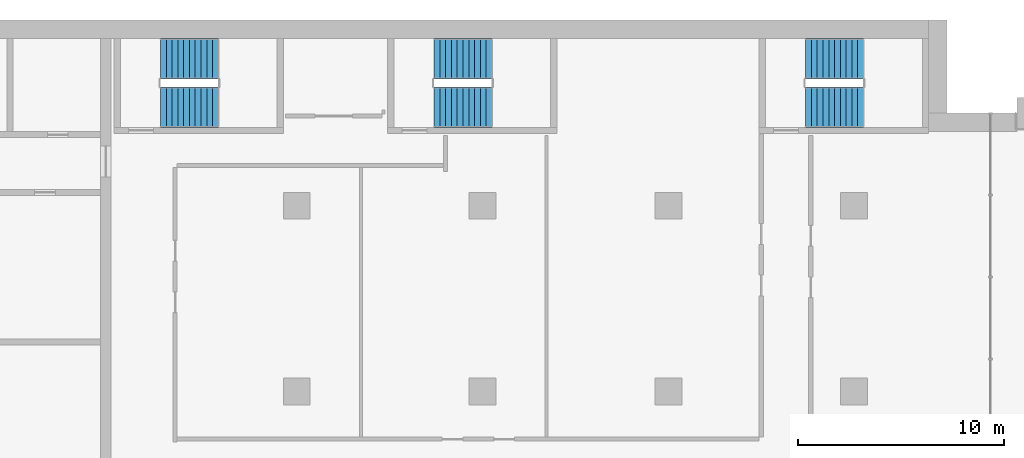
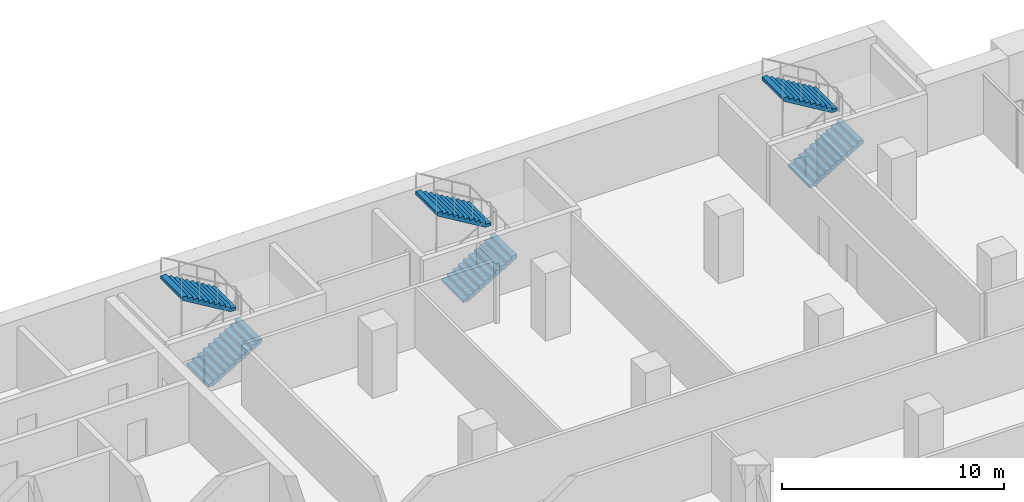
# One storey, part 18 of 23: 6 stair flights, 3 elements without a shape of their own.
"""IFC4 building model written with IfcOpenShell, lengths in metres."""

from ifc_helpers import new_model, si_unit, direction, frame, origin, place, context, subcontext, project, spatial, polyline, outline, extrude, material, type_object, element, aggregate, save


model = new_model("IFC4")

# Units and contexts
model_context = context("Model", 3, precision=1e-05, world=origin(), true_north=direction((0.0, 1.0)))
body_context = subcontext(model_context, "Body", "Model", "MODEL_VIEW")
ifc_project = project(units=[si_unit("LENGTHUNIT", "METRE"), si_unit("AREAUNIT", "SQUARE_METRE"), si_unit("VOLUMEUNIT", "CUBIC_METRE"), si_unit("PLANEANGLEUNIT", "RADIAN"), si_unit("MASSUNIT", "GRAM", prefix="KILO")], contexts=[model_context])

# Site, building, storey
site_placement = place(None, origin())
site = spatial("IfcSite", under=ifc_project, at=site_placement, CompositionType="ELEMENT")
building_placement = place(site_placement, origin())
building = spatial("IfcBuilding", under=site, at=building_placement, Name="Hunhe Ridgeline Campus", CompositionType="ELEMENT")
storey_placement = place(building_placement, frame((0.0, 0.0, 103.300048828125)))
storey = spatial("IfcBuildingStorey", under=building, at=storey_placement, Name="L25", CompositionType="ELEMENT", Elevation=103.300048828125)

# Stair, stair flights
ifc_material = material(Name="Concrete C40", Category="concrete")
stair_type = type_object("IfcStairType", Name="Reinforced concrete dog-leg stair 1950 Concrete C40", PredefinedType="HALF_TURN_STAIR", material=ifc_material)
stair_1_placement = place(storey_placement, origin())
stair_1 = element("IfcStair", 1, at=stair_1_placement, inside=storey, type_object=stair_type, Name="L25 E1", PredefinedType="HALF_TURN_STAIR")
stair_flight_type = type_object("IfcStairFlightType", Name="Reinforced concrete stair flight 1950 Concrete C40", PredefinedType="STRAIGHT", material=ifc_material)
stair_flight_1_placement = place(storey_placement, frame((38.39990234375, 94.77490234375, 0.0), z_axis=(0.0, 0.0, 1.0), x_axis=(1.0, 0.0, 0.0)))
stair_flight_1 = element("IfcStairFlight", 2, at=stair_flight_1_placement, type_object=stair_flight_type, Name="ST5 flight 1", NumberOfRisers=11, NumberOfTreads=10, PredefinedType="STRAIGHT", RiserHeight=0.168181818, TreadLength=0.28, context=body_context, shape_type="SweptSolid", body=[
    extrude(outline(polyline([(0.0, 0.0), (0.0, 0.168212890625), (0.280029296875, 0.168212890625), (0.280029296875, 0.33642578125), (0.56005859375, 0.33642578125), (0.56005859375, 0.504638671875), (0.840087890625, 0.504638671875), (0.840087890625, 0.672607421875), (1.1201171875, 0.672607421875), (1.1201171875, 0.8408203125), (1.39990234375, 0.8408203125), (1.39990234375, 1.009033203125), (1.679931640625, 1.009033203125), (1.679931640625, 1.17724609375), (1.9599609375, 1.17724609375), (1.9599609375, 1.345458984375), (2.239990234375, 1.345458984375), (2.239990234375, 1.513671875), (2.52001953125, 1.513671875), (2.52001953125, 1.681884765625), (2.800048828125, 1.681884765625), (2.800048828125, 1.85009765625), (2.800048828125, 1.5068359375), (0.291015625, 0.0), (0.0, 0.0)])), frame((0.0, 0.97509765625, 0.0), z_axis=(0.0, -1.0, 0.0), x_axis=(1.0, 0.0, 0.0)), (0.0, 0.0, 1.0), 1.949951171875),
    extrude(outline(polyline([(0.030029296875, 0.030029296875), (0.030029296875, 0.13818359375), (0.31005859375, 0.13818359375), (0.31005859375, 0.306396484375), (0.590087890625, 0.306396484375), (0.590087890625, 0.474609375), (0.8701171875, 0.474609375), (0.8701171875, 0.642578125), (1.14990234375, 0.642578125), (1.14990234375, 0.810791015625), (1.429931640625, 0.810791015625), (1.429931640625, 0.97900390625), (1.7099609375, 0.97900390625), (1.7099609375, 1.147216796875), (1.989990234375, 1.147216796875), (1.989990234375, 1.3154296875), (2.27001953125, 1.3154296875), (2.27001953125, 1.483642578125), (2.550048828125, 1.483642578125), (2.550048828125, 1.65185546875), (2.77001953125, 1.65185546875), (2.77001953125, 1.52392578125), (0.28271484375, 0.030029296875), (0.030029296875, 0.030029296875)])), frame((0.0, -0.070068359375, 0.0), z_axis=(0.0, -1.0, 0.0), x_axis=(1.0, 0.0, 0.0)), (0.0, 0.0, 1.0), 0.019775390625),
    extrude(outline(polyline([(0.030029296875, 0.030029296875), (0.030029296875, 0.13818359375), (0.31005859375, 0.13818359375), (0.31005859375, 0.306396484375), (0.590087890625, 0.306396484375), (0.590087890625, 0.474609375), (0.8701171875, 0.474609375), (0.8701171875, 0.642578125), (1.14990234375, 0.642578125), (1.14990234375, 0.810791015625), (1.429931640625, 0.810791015625), (1.429931640625, 0.97900390625), (1.7099609375, 0.97900390625), (1.7099609375, 1.147216796875), (1.989990234375, 1.147216796875), (1.989990234375, 1.3154296875), (2.27001953125, 1.3154296875), (2.27001953125, 1.483642578125), (2.550048828125, 1.483642578125), (2.550048828125, 1.65185546875), (2.77001953125, 1.65185546875), (2.77001953125, 1.52392578125), (0.28271484375, 0.030029296875), (0.030029296875, 0.030029296875)])), frame((0.0, 0.010009765625, 0.0), z_axis=(0.0, -1.0, 0.0), x_axis=(1.0, 0.0, 0.0)), (0.0, 0.0, 1.0), 0.019775390625),
    extrude(outline(polyline([(0.030029296875, 0.030029296875), (0.030029296875, 0.13818359375), (0.31005859375, 0.13818359375), (0.31005859375, 0.306396484375), (0.590087890625, 0.306396484375), (0.590087890625, 0.474609375), (0.8701171875, 0.474609375), (0.8701171875, 0.642578125), (1.14990234375, 0.642578125), (1.14990234375, 0.810791015625), (1.429931640625, 0.810791015625), (1.429931640625, 0.97900390625), (1.7099609375, 0.97900390625), (1.7099609375, 1.147216796875), (1.989990234375, 1.147216796875), (1.989990234375, 1.3154296875), (2.27001953125, 1.3154296875), (2.27001953125, 1.483642578125), (2.550048828125, 1.483642578125), (2.550048828125, 1.65185546875), (2.77001953125, 1.65185546875), (2.77001953125, 1.52392578125), (0.28271484375, 0.030029296875), (0.030029296875, 0.030029296875)])), frame((0.0, 0.090087890625, 0.0), z_axis=(0.0, -1.0, 0.0), x_axis=(1.0, 0.0, 0.0)), (0.0, 0.0, 1.0), 0.019775390625),
])
stair_flight_2_placement = place(storey_placement, frame((41.199951171875, 97.125, 1.849853515625), z_axis=(0.0, 0.0, 1.0), x_axis=(-1.0, 0.0, 0.0)))
stair_flight_2 = element("IfcStairFlight", 3, at=stair_flight_2_placement, type_object=stair_flight_type, Name="ST5 flight 2", NumberOfRisers=11, NumberOfTreads=10, PredefinedType="STRAIGHT", RiserHeight=0.168181818, TreadLength=0.28, context=body_context, shape_type="SweptSolid", body=[
    extrude(outline(polyline([(0.0, 0.0), (0.0, 0.168212890625), (0.280029296875, 0.168212890625), (0.280029296875, 0.33642578125), (0.56005859375, 0.33642578125), (0.56005859375, 0.504638671875), (0.840087890625, 0.504638671875), (0.840087890625, 0.672607421875), (1.1201171875, 0.672607421875), (1.1201171875, 0.8408203125), (1.39990234375, 0.8408203125), (1.39990234375, 1.009033203125), (1.679931640625, 1.009033203125), (1.679931640625, 1.17724609375), (1.9599609375, 1.17724609375), (1.9599609375, 1.345458984375), (2.239990234375, 1.345458984375), (2.239990234375, 1.513671875), (2.52001953125, 1.513671875), (2.52001953125, 1.681884765625), (2.800048828125, 1.681884765625), (2.800048828125, 1.85009765625), (2.800048828125, 1.5068359375), (0.291015625, 0.0), (0.0, 0.0)])), frame((0.0, 0.97509765625, 0.0), z_axis=(0.0, -1.0, 0.0), x_axis=(1.0, 0.0, 0.0)), (0.0, 0.0, 1.0), 1.949951171875),
    extrude(outline(polyline([(0.030029296875, 0.030029296875), (0.030029296875, 0.13818359375), (0.31005859375, 0.13818359375), (0.31005859375, 0.306396484375), (0.590087890625, 0.306396484375), (0.590087890625, 0.474609375), (0.8701171875, 0.474609375), (0.8701171875, 0.642578125), (1.14990234375, 0.642578125), (1.14990234375, 0.810791015625), (1.429931640625, 0.810791015625), (1.429931640625, 0.97900390625), (1.7099609375, 0.97900390625), (1.7099609375, 1.147216796875), (1.989990234375, 1.147216796875), (1.989990234375, 1.3154296875), (2.27001953125, 1.3154296875), (2.27001953125, 1.483642578125), (2.550048828125, 1.483642578125), (2.550048828125, 1.65185546875), (2.77001953125, 1.65185546875), (2.77001953125, 1.52392578125), (0.28271484375, 0.030029296875), (0.030029296875, 0.030029296875)])), frame((0.0, -0.070068359375, 0.0), z_axis=(0.0, -1.0, 0.0), x_axis=(1.0, 0.0, 0.0)), (0.0, 0.0, 1.0), 0.019775390625),
    extrude(outline(polyline([(0.030029296875, 0.030029296875), (0.030029296875, 0.13818359375), (0.31005859375, 0.13818359375), (0.31005859375, 0.306396484375), (0.590087890625, 0.306396484375), (0.590087890625, 0.474609375), (0.8701171875, 0.474609375), (0.8701171875, 0.642578125), (1.14990234375, 0.642578125), (1.14990234375, 0.810791015625), (1.429931640625, 0.810791015625), (1.429931640625, 0.97900390625), (1.7099609375, 0.97900390625), (1.7099609375, 1.147216796875), (1.989990234375, 1.147216796875), (1.989990234375, 1.3154296875), (2.27001953125, 1.3154296875), (2.27001953125, 1.483642578125), (2.550048828125, 1.483642578125), (2.550048828125, 1.65185546875), (2.77001953125, 1.65185546875), (2.77001953125, 1.52392578125), (0.28271484375, 0.030029296875), (0.030029296875, 0.030029296875)])), frame((0.0, 0.010009765625, 0.0), z_axis=(0.0, -1.0, 0.0), x_axis=(1.0, 0.0, 0.0)), (0.0, 0.0, 1.0), 0.019775390625),
    extrude(outline(polyline([(0.030029296875, 0.030029296875), (0.030029296875, 0.13818359375), (0.31005859375, 0.13818359375), (0.31005859375, 0.306396484375), (0.590087890625, 0.306396484375), (0.590087890625, 0.474609375), (0.8701171875, 0.474609375), (0.8701171875, 0.642578125), (1.14990234375, 0.642578125), (1.14990234375, 0.810791015625), (1.429931640625, 0.810791015625), (1.429931640625, 0.97900390625), (1.7099609375, 0.97900390625), (1.7099609375, 1.147216796875), (1.989990234375, 1.147216796875), (1.989990234375, 1.3154296875), (2.27001953125, 1.3154296875), (2.27001953125, 1.483642578125), (2.550048828125, 1.483642578125), (2.550048828125, 1.65185546875), (2.77001953125, 1.65185546875), (2.77001953125, 1.52392578125), (0.28271484375, 0.030029296875), (0.030029296875, 0.030029296875)])), frame((0.0, 0.090087890625, 0.0), z_axis=(0.0, -1.0, 0.0), x_axis=(1.0, 0.0, 0.0)), (0.0, 0.0, 1.0), 0.019775390625),
])
aggregate(stair_1, [stair_flight_1, stair_flight_2])

stair_2_placement = place(storey_placement, origin())
stair_2 = element("IfcStair", 4, at=stair_2_placement, inside=storey, type_object=stair_type, Name="L25 E2", PredefinedType="HALF_TURN_STAIR")
stair_flight_3_placement = place(storey_placement, frame((51.64990234375, 94.77490234375, 0.0), z_axis=(0.0, 0.0, 1.0), x_axis=(1.0, 0.0, 0.0)))
stair_flight_3 = element("IfcStairFlight", 5, at=stair_flight_3_placement, type_object=stair_flight_type, Name="ST6 flight 1", NumberOfRisers=11, NumberOfTreads=10, PredefinedType="STRAIGHT", RiserHeight=0.168181818, TreadLength=0.28, context=body_context, shape_type="SweptSolid", body=[
    extrude(outline(polyline([(0.0, 0.0), (0.0, 0.168212890625), (0.280029296875, 0.168212890625), (0.280029296875, 0.33642578125), (0.56005859375, 0.33642578125), (0.56005859375, 0.504638671875), (0.840087890625, 0.504638671875), (0.840087890625, 0.672607421875), (1.1201171875, 0.672607421875), (1.1201171875, 0.8408203125), (1.39990234375, 0.8408203125), (1.39990234375, 1.009033203125), (1.679931640625, 1.009033203125), (1.679931640625, 1.17724609375), (1.9599609375, 1.17724609375), (1.9599609375, 1.345458984375), (2.239990234375, 1.345458984375), (2.239990234375, 1.513671875), (2.52001953125, 1.513671875), (2.52001953125, 1.681884765625), (2.800048828125, 1.681884765625), (2.800048828125, 1.85009765625), (2.800048828125, 1.5068359375), (0.291015625, 0.0), (0.0, 0.0)])), frame((0.0, 0.97509765625, 0.0), z_axis=(0.0, -1.0, 0.0), x_axis=(1.0, 0.0, 0.0)), (0.0, 0.0, 1.0), 1.949951171875),
    extrude(outline(polyline([(0.030029296875, 0.030029296875), (0.030029296875, 0.13818359375), (0.31005859375, 0.13818359375), (0.31005859375, 0.306396484375), (0.590087890625, 0.306396484375), (0.590087890625, 0.474609375), (0.8701171875, 0.474609375), (0.8701171875, 0.642578125), (1.14990234375, 0.642578125), (1.14990234375, 0.810791015625), (1.429931640625, 0.810791015625), (1.429931640625, 0.97900390625), (1.7099609375, 0.97900390625), (1.7099609375, 1.147216796875), (1.989990234375, 1.147216796875), (1.989990234375, 1.3154296875), (2.27001953125, 1.3154296875), (2.27001953125, 1.483642578125), (2.550048828125, 1.483642578125), (2.550048828125, 1.65185546875), (2.77001953125, 1.65185546875), (2.77001953125, 1.52392578125), (0.28271484375, 0.030029296875), (0.030029296875, 0.030029296875)])), frame((0.0, -0.070068359375, 0.0), z_axis=(0.0, -1.0, 0.0), x_axis=(1.0, 0.0, 0.0)), (0.0, 0.0, 1.0), 0.019775390625),
    extrude(outline(polyline([(0.030029296875, 0.030029296875), (0.030029296875, 0.13818359375), (0.31005859375, 0.13818359375), (0.31005859375, 0.306396484375), (0.590087890625, 0.306396484375), (0.590087890625, 0.474609375), (0.8701171875, 0.474609375), (0.8701171875, 0.642578125), (1.14990234375, 0.642578125), (1.14990234375, 0.810791015625), (1.429931640625, 0.810791015625), (1.429931640625, 0.97900390625), (1.7099609375, 0.97900390625), (1.7099609375, 1.147216796875), (1.989990234375, 1.147216796875), (1.989990234375, 1.3154296875), (2.27001953125, 1.3154296875), (2.27001953125, 1.483642578125), (2.550048828125, 1.483642578125), (2.550048828125, 1.65185546875), (2.77001953125, 1.65185546875), (2.77001953125, 1.52392578125), (0.28271484375, 0.030029296875), (0.030029296875, 0.030029296875)])), frame((0.0, 0.010009765625, 0.0), z_axis=(0.0, -1.0, 0.0), x_axis=(1.0, 0.0, 0.0)), (0.0, 0.0, 1.0), 0.019775390625),
    extrude(outline(polyline([(0.030029296875, 0.030029296875), (0.030029296875, 0.13818359375), (0.31005859375, 0.13818359375), (0.31005859375, 0.306396484375), (0.590087890625, 0.306396484375), (0.590087890625, 0.474609375), (0.8701171875, 0.474609375), (0.8701171875, 0.642578125), (1.14990234375, 0.642578125), (1.14990234375, 0.810791015625), (1.429931640625, 0.810791015625), (1.429931640625, 0.97900390625), (1.7099609375, 0.97900390625), (1.7099609375, 1.147216796875), (1.989990234375, 1.147216796875), (1.989990234375, 1.3154296875), (2.27001953125, 1.3154296875), (2.27001953125, 1.483642578125), (2.550048828125, 1.483642578125), (2.550048828125, 1.65185546875), (2.77001953125, 1.65185546875), (2.77001953125, 1.52392578125), (0.28271484375, 0.030029296875), (0.030029296875, 0.030029296875)])), frame((0.0, 0.090087890625, 0.0), z_axis=(0.0, -1.0, 0.0), x_axis=(1.0, 0.0, 0.0)), (0.0, 0.0, 1.0), 0.019775390625),
])
stair_flight_4_placement = place(storey_placement, frame((54.449951171875, 97.125, 1.849853515625), z_axis=(0.0, 0.0, 1.0), x_axis=(-1.0, 0.0, 0.0)))
stair_flight_4 = element("IfcStairFlight", 6, at=stair_flight_4_placement, type_object=stair_flight_type, Name="ST6 flight 2", NumberOfRisers=11, NumberOfTreads=10, PredefinedType="STRAIGHT", RiserHeight=0.168181818, TreadLength=0.28, context=body_context, shape_type="SweptSolid", body=[
    extrude(outline(polyline([(0.0, 0.0), (0.0, 0.168212890625), (0.280029296875, 0.168212890625), (0.280029296875, 0.33642578125), (0.56005859375, 0.33642578125), (0.56005859375, 0.504638671875), (0.840087890625, 0.504638671875), (0.840087890625, 0.672607421875), (1.1201171875, 0.672607421875), (1.1201171875, 0.8408203125), (1.39990234375, 0.8408203125), (1.39990234375, 1.009033203125), (1.679931640625, 1.009033203125), (1.679931640625, 1.17724609375), (1.9599609375, 1.17724609375), (1.9599609375, 1.345458984375), (2.239990234375, 1.345458984375), (2.239990234375, 1.513671875), (2.52001953125, 1.513671875), (2.52001953125, 1.681884765625), (2.800048828125, 1.681884765625), (2.800048828125, 1.85009765625), (2.800048828125, 1.5068359375), (0.291015625, 0.0), (0.0, 0.0)])), frame((0.0, 0.97509765625, 0.0), z_axis=(0.0, -1.0, 0.0), x_axis=(1.0, 0.0, 0.0)), (0.0, 0.0, 1.0), 1.949951171875),
    extrude(outline(polyline([(0.030029296875, 0.030029296875), (0.030029296875, 0.13818359375), (0.31005859375, 0.13818359375), (0.31005859375, 0.306396484375), (0.590087890625, 0.306396484375), (0.590087890625, 0.474609375), (0.8701171875, 0.474609375), (0.8701171875, 0.642578125), (1.14990234375, 0.642578125), (1.14990234375, 0.810791015625), (1.429931640625, 0.810791015625), (1.429931640625, 0.97900390625), (1.7099609375, 0.97900390625), (1.7099609375, 1.147216796875), (1.989990234375, 1.147216796875), (1.989990234375, 1.3154296875), (2.27001953125, 1.3154296875), (2.27001953125, 1.483642578125), (2.550048828125, 1.483642578125), (2.550048828125, 1.65185546875), (2.77001953125, 1.65185546875), (2.77001953125, 1.52392578125), (0.28271484375, 0.030029296875), (0.030029296875, 0.030029296875)])), frame((0.0, -0.070068359375, 0.0), z_axis=(0.0, -1.0, 0.0), x_axis=(1.0, 0.0, 0.0)), (0.0, 0.0, 1.0), 0.019775390625),
    extrude(outline(polyline([(0.030029296875, 0.030029296875), (0.030029296875, 0.13818359375), (0.31005859375, 0.13818359375), (0.31005859375, 0.306396484375), (0.590087890625, 0.306396484375), (0.590087890625, 0.474609375), (0.8701171875, 0.474609375), (0.8701171875, 0.642578125), (1.14990234375, 0.642578125), (1.14990234375, 0.810791015625), (1.429931640625, 0.810791015625), (1.429931640625, 0.97900390625), (1.7099609375, 0.97900390625), (1.7099609375, 1.147216796875), (1.989990234375, 1.147216796875), (1.989990234375, 1.3154296875), (2.27001953125, 1.3154296875), (2.27001953125, 1.483642578125), (2.550048828125, 1.483642578125), (2.550048828125, 1.65185546875), (2.77001953125, 1.65185546875), (2.77001953125, 1.52392578125), (0.28271484375, 0.030029296875), (0.030029296875, 0.030029296875)])), frame((0.0, 0.010009765625, 0.0), z_axis=(0.0, -1.0, 0.0), x_axis=(1.0, 0.0, 0.0)), (0.0, 0.0, 1.0), 0.019775390625),
    extrude(outline(polyline([(0.030029296875, 0.030029296875), (0.030029296875, 0.13818359375), (0.31005859375, 0.13818359375), (0.31005859375, 0.306396484375), (0.590087890625, 0.306396484375), (0.590087890625, 0.474609375), (0.8701171875, 0.474609375), (0.8701171875, 0.642578125), (1.14990234375, 0.642578125), (1.14990234375, 0.810791015625), (1.429931640625, 0.810791015625), (1.429931640625, 0.97900390625), (1.7099609375, 0.97900390625), (1.7099609375, 1.147216796875), (1.989990234375, 1.147216796875), (1.989990234375, 1.3154296875), (2.27001953125, 1.3154296875), (2.27001953125, 1.483642578125), (2.550048828125, 1.483642578125), (2.550048828125, 1.65185546875), (2.77001953125, 1.65185546875), (2.77001953125, 1.52392578125), (0.28271484375, 0.030029296875), (0.030029296875, 0.030029296875)])), frame((0.0, 0.090087890625, 0.0), z_axis=(0.0, -1.0, 0.0), x_axis=(1.0, 0.0, 0.0)), (0.0, 0.0, 1.0), 0.019775390625),
])
aggregate(stair_2, [stair_flight_3, stair_flight_4])

stair_3_placement = place(storey_placement, origin())
stair_3 = element("IfcStair", 7, at=stair_3_placement, inside=storey, type_object=stair_type, Name="L25 E3", PredefinedType="HALF_TURN_STAIR")
stair_flight_5_placement = place(storey_placement, frame((69.64990234375, 94.77490234375, 0.0), z_axis=(0.0, 0.0, 1.0), x_axis=(1.0, 0.0, 0.0)))
stair_flight_5 = element("IfcStairFlight", 8, at=stair_flight_5_placement, type_object=stair_flight_type, Name="ST7 flight 1", NumberOfRisers=11, NumberOfTreads=10, PredefinedType="STRAIGHT", RiserHeight=0.168181818, TreadLength=0.28, context=body_context, shape_type="SweptSolid", body=[
    extrude(outline(polyline([(0.0, 0.0), (0.0, 0.168212890625), (0.280029296875, 0.168212890625), (0.280029296875, 0.33642578125), (0.56005859375, 0.33642578125), (0.56005859375, 0.504638671875), (0.840087890625, 0.504638671875), (0.840087890625, 0.672607421875), (1.1201171875, 0.672607421875), (1.1201171875, 0.8408203125), (1.39990234375, 0.8408203125), (1.39990234375, 1.009033203125), (1.679931640625, 1.009033203125), (1.679931640625, 1.17724609375), (1.9599609375, 1.17724609375), (1.9599609375, 1.345458984375), (2.239990234375, 1.345458984375), (2.239990234375, 1.513671875), (2.52001953125, 1.513671875), (2.52001953125, 1.681884765625), (2.800048828125, 1.681884765625), (2.800048828125, 1.85009765625), (2.800048828125, 1.5068359375), (0.291015625, 0.0), (0.0, 0.0)])), frame((0.0, 0.97509765625, 0.0), z_axis=(0.0, -1.0, 0.0), x_axis=(1.0, 0.0, 0.0)), (0.0, 0.0, 1.0), 1.949951171875),
    extrude(outline(polyline([(0.030029296875, 0.030029296875), (0.030029296875, 0.13818359375), (0.31005859375, 0.13818359375), (0.31005859375, 0.306396484375), (0.590087890625, 0.306396484375), (0.590087890625, 0.474609375), (0.8701171875, 0.474609375), (0.8701171875, 0.642578125), (1.14990234375, 0.642578125), (1.14990234375, 0.810791015625), (1.429931640625, 0.810791015625), (1.429931640625, 0.97900390625), (1.7099609375, 0.97900390625), (1.7099609375, 1.147216796875), (1.989990234375, 1.147216796875), (1.989990234375, 1.3154296875), (2.27001953125, 1.3154296875), (2.27001953125, 1.483642578125), (2.550048828125, 1.483642578125), (2.550048828125, 1.65185546875), (2.77001953125, 1.65185546875), (2.77001953125, 1.52392578125), (0.28271484375, 0.030029296875), (0.030029296875, 0.030029296875)])), frame((0.0, -0.070068359375, 0.0), z_axis=(0.0, -1.0, 0.0), x_axis=(1.0, 0.0, 0.0)), (0.0, 0.0, 1.0), 0.019775390625),
    extrude(outline(polyline([(0.030029296875, 0.030029296875), (0.030029296875, 0.13818359375), (0.31005859375, 0.13818359375), (0.31005859375, 0.306396484375), (0.590087890625, 0.306396484375), (0.590087890625, 0.474609375), (0.8701171875, 0.474609375), (0.8701171875, 0.642578125), (1.14990234375, 0.642578125), (1.14990234375, 0.810791015625), (1.429931640625, 0.810791015625), (1.429931640625, 0.97900390625), (1.7099609375, 0.97900390625), (1.7099609375, 1.147216796875), (1.989990234375, 1.147216796875), (1.989990234375, 1.3154296875), (2.27001953125, 1.3154296875), (2.27001953125, 1.483642578125), (2.550048828125, 1.483642578125), (2.550048828125, 1.65185546875), (2.77001953125, 1.65185546875), (2.77001953125, 1.52392578125), (0.28271484375, 0.030029296875), (0.030029296875, 0.030029296875)])), frame((0.0, 0.010009765625, 0.0), z_axis=(0.0, -1.0, 0.0), x_axis=(1.0, 0.0, 0.0)), (0.0, 0.0, 1.0), 0.019775390625),
    extrude(outline(polyline([(0.030029296875, 0.030029296875), (0.030029296875, 0.13818359375), (0.31005859375, 0.13818359375), (0.31005859375, 0.306396484375), (0.590087890625, 0.306396484375), (0.590087890625, 0.474609375), (0.8701171875, 0.474609375), (0.8701171875, 0.642578125), (1.14990234375, 0.642578125), (1.14990234375, 0.810791015625), (1.429931640625, 0.810791015625), (1.429931640625, 0.97900390625), (1.7099609375, 0.97900390625), (1.7099609375, 1.147216796875), (1.989990234375, 1.147216796875), (1.989990234375, 1.3154296875), (2.27001953125, 1.3154296875), (2.27001953125, 1.483642578125), (2.550048828125, 1.483642578125), (2.550048828125, 1.65185546875), (2.77001953125, 1.65185546875), (2.77001953125, 1.52392578125), (0.28271484375, 0.030029296875), (0.030029296875, 0.030029296875)])), frame((0.0, 0.090087890625, 0.0), z_axis=(0.0, -1.0, 0.0), x_axis=(1.0, 0.0, 0.0)), (0.0, 0.0, 1.0), 0.019775390625),
])
stair_flight_6_placement = place(storey_placement, frame((72.449951171875, 97.125, 1.849853515625), z_axis=(0.0, 0.0, 1.0), x_axis=(-1.0, 0.0, 0.0)))
stair_flight_6 = element("IfcStairFlight", 9, at=stair_flight_6_placement, type_object=stair_flight_type, Name="ST7 flight 2", NumberOfRisers=11, NumberOfTreads=10, PredefinedType="STRAIGHT", RiserHeight=0.168181818, TreadLength=0.28, context=body_context, shape_type="SweptSolid", body=[
    extrude(outline(polyline([(0.0, 0.0), (0.0, 0.168212890625), (0.280029296875, 0.168212890625), (0.280029296875, 0.33642578125), (0.56005859375, 0.33642578125), (0.56005859375, 0.504638671875), (0.840087890625, 0.504638671875), (0.840087890625, 0.672607421875), (1.1201171875, 0.672607421875), (1.1201171875, 0.8408203125), (1.39990234375, 0.8408203125), (1.39990234375, 1.009033203125), (1.679931640625, 1.009033203125), (1.679931640625, 1.17724609375), (1.9599609375, 1.17724609375), (1.9599609375, 1.345458984375), (2.239990234375, 1.345458984375), (2.239990234375, 1.513671875), (2.52001953125, 1.513671875), (2.52001953125, 1.681884765625), (2.800048828125, 1.681884765625), (2.800048828125, 1.85009765625), (2.800048828125, 1.5068359375), (0.291015625, 0.0), (0.0, 0.0)])), frame((0.0, 0.97509765625, 0.0), z_axis=(0.0, -1.0, 0.0), x_axis=(1.0, 0.0, 0.0)), (0.0, 0.0, 1.0), 1.949951171875),
    extrude(outline(polyline([(0.030029296875, 0.030029296875), (0.030029296875, 0.13818359375), (0.31005859375, 0.13818359375), (0.31005859375, 0.306396484375), (0.590087890625, 0.306396484375), (0.590087890625, 0.474609375), (0.8701171875, 0.474609375), (0.8701171875, 0.642578125), (1.14990234375, 0.642578125), (1.14990234375, 0.810791015625), (1.429931640625, 0.810791015625), (1.429931640625, 0.97900390625), (1.7099609375, 0.97900390625), (1.7099609375, 1.147216796875), (1.989990234375, 1.147216796875), (1.989990234375, 1.3154296875), (2.27001953125, 1.3154296875), (2.27001953125, 1.483642578125), (2.550048828125, 1.483642578125), (2.550048828125, 1.65185546875), (2.77001953125, 1.65185546875), (2.77001953125, 1.52392578125), (0.28271484375, 0.030029296875), (0.030029296875, 0.030029296875)])), frame((0.0, -0.070068359375, 0.0), z_axis=(0.0, -1.0, 0.0), x_axis=(1.0, 0.0, 0.0)), (0.0, 0.0, 1.0), 0.019775390625),
    extrude(outline(polyline([(0.030029296875, 0.030029296875), (0.030029296875, 0.13818359375), (0.31005859375, 0.13818359375), (0.31005859375, 0.306396484375), (0.590087890625, 0.306396484375), (0.590087890625, 0.474609375), (0.8701171875, 0.474609375), (0.8701171875, 0.642578125), (1.14990234375, 0.642578125), (1.14990234375, 0.810791015625), (1.429931640625, 0.810791015625), (1.429931640625, 0.97900390625), (1.7099609375, 0.97900390625), (1.7099609375, 1.147216796875), (1.989990234375, 1.147216796875), (1.989990234375, 1.3154296875), (2.27001953125, 1.3154296875), (2.27001953125, 1.483642578125), (2.550048828125, 1.483642578125), (2.550048828125, 1.65185546875), (2.77001953125, 1.65185546875), (2.77001953125, 1.52392578125), (0.28271484375, 0.030029296875), (0.030029296875, 0.030029296875)])), frame((0.0, 0.010009765625, 0.0), z_axis=(0.0, -1.0, 0.0), x_axis=(1.0, 0.0, 0.0)), (0.0, 0.0, 1.0), 0.019775390625),
    extrude(outline(polyline([(0.030029296875, 0.030029296875), (0.030029296875, 0.13818359375), (0.31005859375, 0.13818359375), (0.31005859375, 0.306396484375), (0.590087890625, 0.306396484375), (0.590087890625, 0.474609375), (0.8701171875, 0.474609375), (0.8701171875, 0.642578125), (1.14990234375, 0.642578125), (1.14990234375, 0.810791015625), (1.429931640625, 0.810791015625), (1.429931640625, 0.97900390625), (1.7099609375, 0.97900390625), (1.7099609375, 1.147216796875), (1.989990234375, 1.147216796875), (1.989990234375, 1.3154296875), (2.27001953125, 1.3154296875), (2.27001953125, 1.483642578125), (2.550048828125, 1.483642578125), (2.550048828125, 1.65185546875), (2.77001953125, 1.65185546875), (2.77001953125, 1.52392578125), (0.28271484375, 0.030029296875), (0.030029296875, 0.030029296875)])), frame((0.0, 0.090087890625, 0.0), z_axis=(0.0, -1.0, 0.0), x_axis=(1.0, 0.0, 0.0)), (0.0, 0.0, 1.0), 0.019775390625),
])
aggregate(stair_3, [stair_flight_5, stair_flight_6])

save(model, "model.ifc")
